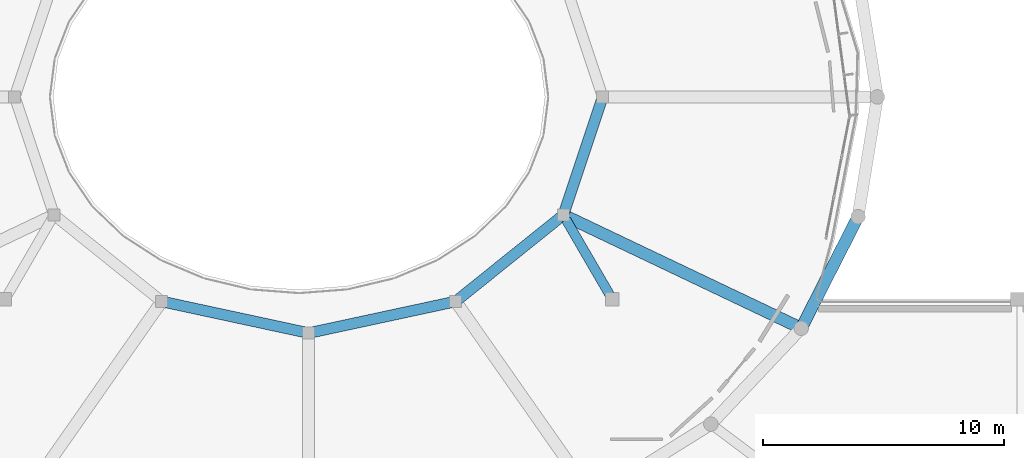
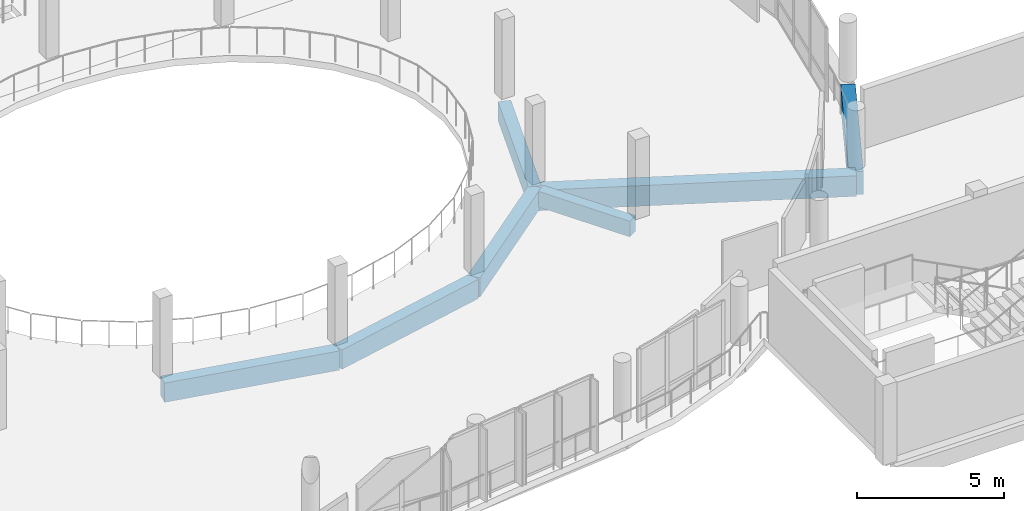
# One storey, part 17 of 43: 7 beams.
"""IFC4 building model written with IfcOpenShell, lengths in metres."""

from ifc_helpers import new_model, si_unit, derived_unit, direction, frame, origin, origin_2d, place, context, subcontext, project, spatial, rectangle, extrude, material, material_profile, profile_set, type_object, element, save


model = new_model("IFC4")

# Units and contexts
model_context = context("Model", 3, precision=1e-05, world=origin(), true_north=direction((0.0, 1.0)))
body_context = subcontext(model_context, "Body", "Model", "MODEL_VIEW")
ifc_project = project(units=[si_unit("LENGTHUNIT", "METRE"), si_unit("AREAUNIT", "SQUARE_METRE"), si_unit("VOLUMEUNIT", "CUBIC_METRE"), si_unit("PLANEANGLEUNIT", "RADIAN"), si_unit("MASSUNIT", "GRAM", prefix="KILO"), derived_unit("THERMALTRANSMITTANCEUNIT", [(si_unit("POWERUNIT", "WATT"), 1), (si_unit("LENGTHUNIT", "METRE"), -2), (si_unit("THERMODYNAMICTEMPERATUREUNIT", "KELVIN"), -1)])], contexts=[model_context])

# Site, building, storey
site_placement = place(None, origin())
site = spatial("IfcSite", under=ifc_project, at=site_placement, CompositionType="ELEMENT")
building_placement = place(site_placement, origin())
building = spatial("IfcBuilding", under=site, at=building_placement, Name="Elbkamm Science Centre", CompositionType="ELEMENT")
storey_placement = place(building_placement, frame((0.0, 0.0, 18.300048828125)))
storey = spatial("IfcBuildingStorey", under=building, at=storey_placement, Name="L04", CompositionType="ELEMENT", Elevation=18.300048828125)

# Beams
ifc_material = material(Name="Concrete C40/50", Category="concrete")
ifc_material_profile_1 = material_profile(ifc_material, rectangle(XDim=0.39990234375, YDim=0.64990234375, at=origin_2d()), Name="RC 400x650")
ifc_profile_set_1 = profile_set([ifc_material_profile_1], Name="Concrete C40/50")
beam_type_1 = type_object("IfcBeamType", Name="BM-RC-400x650", PredefinedType="BEAM", material=ifc_profile_set_1)
beam_1_placement = place(storey_placement, frame((75.489501953125, 58.990234375, -0.60498046875), z_axis=(-0.502465212806, 0.864597426506, 0.0), x_axis=(-0.864597426506, -0.502465212806, 0.0)))
element("IfcBeam", 1, at=beam_1_placement, inside=storey, type_object=beam_type_1, Name="L04 Perimeter Ring Tie Girder 065", PredefinedType="BEAM", context=body_context, shape_type="SweptSolid", body=[
    extrude(rectangle(XDim=0.39990234375, YDim=0.64990234375, at=origin_2d()), origin(), (0.0, 0.0, 1.0), 3.608154296875),
])
ifc_material_profile_2 = material_profile(ifc_material, rectangle(XDim=0.449951171875, YDim=0.800048828125, at=origin_2d()), Name="RC 450x800")
ifc_profile_set_2 = profile_set([ifc_material_profile_2], Name="Concrete C40/50")
beam_type_2 = type_object("IfcBeamType", Name="BM-RC-450x800", PredefinedType="BEAM", material=ifc_profile_set_2)
for number, where, z_axis, x_axis, name in (
    (2, (56.89990234375, 58.712890625, -0.679931640625), (0.97761076487, -0.210421463759, 0.0), (0.210421463759, 0.97761076487, 0.0), "L04 Atrium Ring Girder 09"),
    (3, (63.0, 57.39990234375, -0.679931640625), (0.97761076487, 0.210421463759, 0.0), (-0.210421463759, 0.97761076487, 0.0), "L04 Atrium Ring Girder 10"),
):
    element("IfcBeam", number, at=place(storey_placement, frame(where, z_axis=z_axis, x_axis=x_axis)), inside=storey, type_object=beam_type_2, Name=name, PredefinedType="BEAM", context=body_context, shape_type="SweptSolid", body=[
        extrude(rectangle(XDim=0.449951171875, YDim=0.800048828125, at=origin_2d()), origin(), (0.0, 0.0, 1.0), 6.23974609375),
    ])
beam_2_placement = place(storey_placement, frame((69.10009765625, 58.712890625, -0.679931640625), z_axis=(0.779632299843, 0.626237556396, 0.0), x_axis=(-0.626237556396, 0.779632299843, 0.0)))
element("IfcBeam", 4, at=beam_2_placement, inside=storey, type_object=beam_type_2, Name="L04 Atrium Ring Girder 11", PredefinedType="BEAM", context=body_context, shape_type="SweptSolid", body=[
    extrude(rectangle(XDim=0.449951171875, YDim=0.800048828125, at=origin_2d()), origin(), (0.0, 0.0, 1.0), 5.72802734375),
])
beam_3_placement = place(storey_placement, frame((73.56591796875, 62.300048828125, -0.679931640625), z_axis=(0.316355382987, 0.948640749523, 0.0), x_axis=(-0.948640749523, 0.316355382987, 0.0)))
element("IfcBeam", 5, at=beam_3_placement, inside=storey, type_object=beam_type_2, Name="L04 Atrium Ring Girder 12", PredefinedType="BEAM", context=body_context, shape_type="SweptSolid", body=[
    extrude(rectangle(XDim=0.449951171875, YDim=0.800048828125, at=origin_2d()), origin(), (0.0, 0.0, 1.0), 5.165283203125),
])
ifc_material_profile_3 = material_profile(ifc_material, rectangle(XDim=0.5, YDim=0.85009765625, at=origin_2d()), Name="RC 500x850")
ifc_profile_set_3 = profile_set([ifc_material_profile_3], Name="Concrete C40/50")
beam_type_3 = type_object("IfcBeamType", Name="BM-RC-500x850", PredefinedType="BEAM", material=ifc_profile_set_3)
beam_4_placement = place(storey_placement, frame((73.56591796875, 62.300048828125, -0.705078125), z_axis=(0.902897249077, -0.429856438371, 0.0), x_axis=(0.429856438371, 0.902897249077, 0.0)))
element("IfcBeam", 6, at=beam_4_placement, inside=storey, type_object=beam_type_3, Name="L04 Elliptical Radial Girder 12", PredefinedType="BEAM", context=body_context, shape_type="SweptSolid", body=[
    extrude(rectangle(XDim=0.5, YDim=0.85009765625, at=origin_2d()), origin(), (0.0, 0.0, 1.0), 10.933837890625),
])
ifc_material_profile_4 = material_profile(ifc_material, rectangle(XDim=0.5, YDim=0.949951171875, at=origin_2d()), Name="RC 500x950")
ifc_profile_set_4 = profile_set([ifc_material_profile_4], Name="Concrete C40/50")
beam_type_4 = type_object("IfcBeamType", Name="BM-RC-500x950", PredefinedType="BEAM", material=ifc_profile_set_4)
beam_5_placement = place(storey_placement, frame((83.43798828125, 57.60009765625, -0.755126953125), z_axis=(0.45374138036, 0.891133412991, 0.0), x_axis=(-0.891133412991, 0.45374138036, 0.0)))
element("IfcBeam", 7, at=beam_5_placement, inside=storey, type_object=beam_type_4, Name="L04 Elliptical Shell Perimeter Ring Beam 23", PredefinedType="SPANDREL", context=body_context, shape_type="SweptSolid", body=[
    extrude(rectangle(XDim=0.5, YDim=0.949951171875, at=origin_2d()), origin(), (0.0, 0.0, 1.0), 5.196533203125),
])

save(model, "model.ifc")
